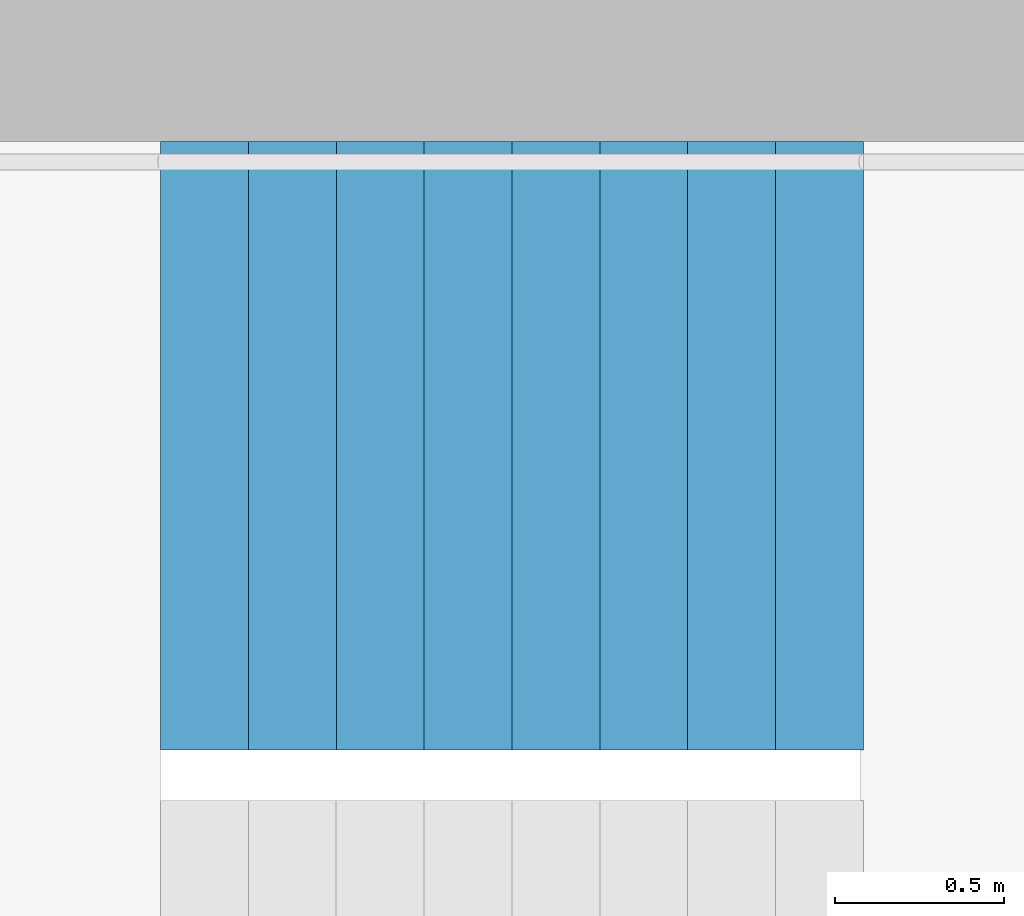
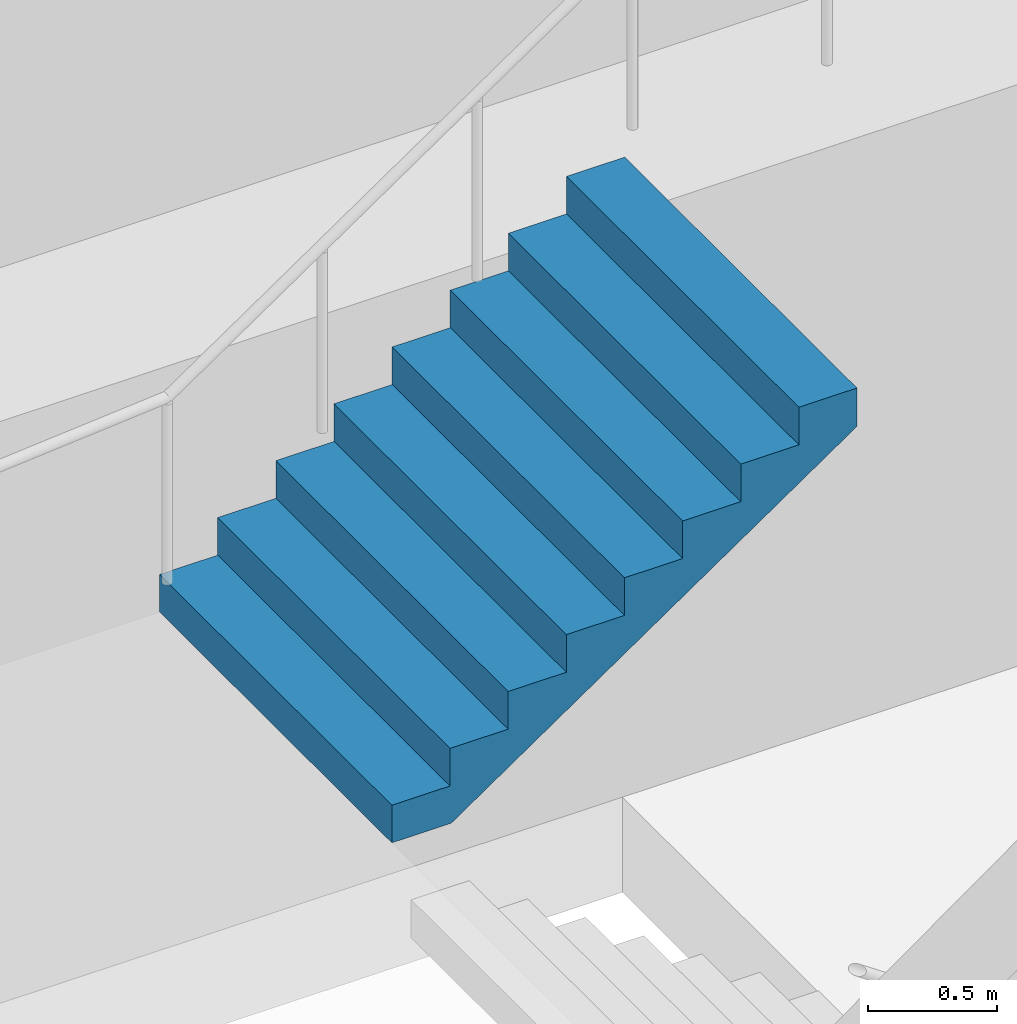
# One storey, part 24 of 30: 1 stair flight, 1 element without a shape of its own.
"""IFC4 building model written with IfcOpenShell, lengths in metres."""

from ifc_helpers import new_model, si_unit, direction, frame, origin, place, context, subcontext, project, spatial, triangles, material, type_object, element, aggregate, save


model = new_model("IFC4")

# Units and contexts
model_context = context("Model", 3, precision=1e-05, world=origin(), true_north=direction((0.0, 1.0)))
body_context = subcontext(model_context, "Body", "Model", "MODEL_VIEW")
ifc_project = project(units=[si_unit("LENGTHUNIT", "METRE"), si_unit("AREAUNIT", "SQUARE_METRE"), si_unit("VOLUMEUNIT", "CUBIC_METRE"), si_unit("PLANEANGLEUNIT", "RADIAN"), si_unit("MASSUNIT", "GRAM", prefix="KILO")], contexts=[model_context])

# Site, building, storey
site_placement = place(None, origin())
site = spatial("IfcSite", under=ifc_project, at=site_placement, CompositionType="ELEMENT")
building_placement = place(site_placement, origin())
building = spatial("IfcBuilding", under=site, at=building_placement, Name="Hakoniwa Tower and Hamabe Station Hall", CompositionType="ELEMENT")
storey_placement = place(building_placement, frame((0.0, 0.0, 137.39990234375)))
storey = spatial("IfcBuildingStorey", under=building, at=storey_placement, Name="L38", CompositionType="ELEMENT", Elevation=137.39990234375)

# Stair, stair flight
ifc_material_1 = material(Name="Concrete C40", Category="concrete")
stair_type = type_object("IfcStairType", Name="ESCAPE STAIR 1800", PredefinedType="HALF_TURN_STAIR", material=ifc_material_1)
stair_placement = place(storey_placement, origin())
stair = element("IfcStair", 1, at=stair_placement, inside=storey, type_object=stair_type, Name="Escape stair ST-3 L38", PredefinedType="HALF_TURN_STAIR")
ifc_material_2 = material(Name="Concrete C40", Category="concrete")
stair_flight_type = type_object("IfcStairFlightType", Name="STAIR FLIGHT 1800", PredefinedType="STRAIGHT", material=ifc_material_2)
stair_flight_placement = place(storey_placement, frame((22.320068359375, 6.60009765625, 1.60009765625), z_axis=(0.0, 0.0, 1.0), x_axis=(1.0, 0.0, 0.0)))
stair_flight = element("IfcStairFlight", 2, at=stair_flight_placement, type_object=stair_flight_type, Name="ST-3 flight 2", NumberOfRisers=9, NumberOfTreads=8, PredefinedType="STRAIGHT", RiserHeight=0.177777778, TreadLength=0.26, context=body_context, shape_type="Tessellation", body=[
    triangles([(0.0, 0.89990234375, 0.0), (0.260009765625, 0.89990234375, 0.0), (0.265625, 0.89990234375, 0.0), (0.52001953125, 0.89990234375, 0.174072265625), (0.780029296875, 0.89990234375, 0.351806640625), (1.0400390625, 0.89990234375, 0.529541015625), (1.300048828125, 0.89990234375, 0.707275390625), (1.56005859375, 0.89990234375, 0.885009765625), (1.820068359375, 0.89990234375, 1.062744140625), (2.080078125, 0.89990234375, 1.24072265625), (2.080078125, 0.89990234375, 1.422119140625), (1.820068359375, 0.89990234375, 1.422119140625), (1.820068359375, 0.89990234375, 1.244384765625), (1.56005859375, 0.89990234375, 1.244384765625), (1.56005859375, 0.89990234375, 1.066650390625), (1.300048828125, 0.89990234375, 1.066650390625), (1.300048828125, 0.89990234375, 0.888916015625), (1.0400390625, 0.89990234375, 0.888916015625), (1.0400390625, 0.89990234375, 0.711181640625), (0.780029296875, 0.89990234375, 0.711181640625), (0.780029296875, 0.89990234375, 0.533447265625), (0.52001953125, 0.89990234375, 0.533447265625), (0.52001953125, 0.89990234375, 0.35546875), (0.265625, 0.89990234375, 0.35546875), (0.260009765625, 0.89990234375, 0.35546875), (0.260009765625, 0.89990234375, 0.177734375), (0.0, 0.89990234375, 0.177734375), (0.0, 0.06005859375, 0.0), (0.260009765625, 0.06005859375, 0.0), (0.265625, 0.06005859375, 0.0), (0.52001953125, 0.06005859375, 0.174072265625), (0.780029296875, 0.06005859375, 0.351806640625), (1.0400390625, 0.06005859375, 0.529541015625), (1.300048828125, 0.06005859375, 0.707275390625), (1.56005859375, 0.06005859375, 0.885009765625), (1.820068359375, 0.06005859375, 1.062744140625), (2.080078125, 0.06005859375, 1.24072265625), (2.080078125, 0.06005859375, 1.422119140625), (1.820068359375, 0.06005859375, 1.422119140625), (1.820068359375, 0.06005859375, 1.244384765625), (1.56005859375, 0.06005859375, 1.244384765625), (1.56005859375, 0.06005859375, 1.066650390625), (1.300048828125, 0.06005859375, 1.066650390625), (1.300048828125, 0.06005859375, 0.888916015625), (1.0400390625, 0.06005859375, 0.888916015625), (1.0400390625, 0.06005859375, 0.711181640625), (0.780029296875, 0.06005859375, 0.711181640625), (0.780029296875, 0.06005859375, 0.533447265625), (0.52001953125, 0.06005859375, 0.533447265625), (0.52001953125, 0.06005859375, 0.35546875), (0.265625, 0.06005859375, 0.35546875), (0.260009765625, 0.06005859375, 0.35546875), (0.260009765625, 0.06005859375, 0.177734375), (0.0, 0.06005859375, 0.177734375), (0.0, 0.04296875, 0.0), (0.260009765625, 0.04296875, 0.0), (0.265625, 0.04296875, 0.0), (0.52001953125, 0.04296875, 0.174072265625), (0.780029296875, 0.04296875, 0.351806640625), (1.0400390625, 0.04296875, 0.529541015625), (1.300048828125, 0.04296875, 0.707275390625), (1.56005859375, 0.04296875, 0.885009765625), (1.820068359375, 0.04296875, 1.062744140625), (2.080078125, 0.04296875, 1.24072265625), (2.080078125, 0.04296875, 1.422119140625), (1.820068359375, 0.04296875, 1.422119140625), (1.820068359375, 0.04296875, 1.244384765625), (1.56005859375, 0.04296875, 1.244384765625), (1.56005859375, 0.04296875, 1.066650390625), (1.300048828125, 0.04296875, 1.066650390625), (1.300048828125, 0.04296875, 0.888916015625), (1.0400390625, 0.04296875, 0.888916015625), (1.0400390625, 0.04296875, 0.711181640625), (0.780029296875, 0.04296875, 0.711181640625), (0.780029296875, 0.04296875, 0.533447265625), (0.52001953125, 0.04296875, 0.533447265625), (0.52001953125, 0.04296875, 0.35546875), (0.265625, 0.04296875, 0.35546875), (0.260009765625, 0.04296875, 0.35546875), (0.260009765625, 0.04296875, 0.177734375), (0.0, 0.04296875, 0.177734375), (0.0, 0.025634765625, 0.0), (0.260009765625, 0.025634765625, 0.0), (0.265625, 0.025634765625, 0.0), (0.52001953125, 0.025634765625, 0.174072265625), (0.780029296875, 0.025634765625, 0.351806640625), (1.0400390625, 0.025634765625, 0.529541015625), (1.300048828125, 0.025634765625, 0.707275390625), (1.56005859375, 0.025634765625, 0.885009765625), (1.820068359375, 0.025634765625, 1.062744140625), (2.080078125, 0.025634765625, 1.24072265625), (2.080078125, 0.025634765625, 1.422119140625), (1.820068359375, 0.025634765625, 1.422119140625), (1.820068359375, 0.025634765625, 1.244384765625), (1.56005859375, 0.025634765625, 1.244384765625), (1.56005859375, 0.025634765625, 1.066650390625), (1.300048828125, 0.025634765625, 1.066650390625), (1.300048828125, 0.025634765625, 0.888916015625), (1.0400390625, 0.025634765625, 0.888916015625), (1.0400390625, 0.025634765625, 0.711181640625), (0.780029296875, 0.025634765625, 0.711181640625), (0.780029296875, 0.025634765625, 0.533447265625), (0.52001953125, 0.025634765625, 0.533447265625), (0.52001953125, 0.025634765625, 0.35546875), (0.265625, 0.025634765625, 0.35546875), (0.260009765625, 0.025634765625, 0.35546875), (0.260009765625, 0.025634765625, 0.177734375), (0.0, 0.025634765625, 0.177734375), (0.0, 0.008544921875, 0.0), (0.260009765625, 0.008544921875, 0.0), (0.265625, 0.008544921875, 0.0), (0.52001953125, 0.008544921875, 0.174072265625), (0.780029296875, 0.008544921875, 0.351806640625), (1.0400390625, 0.008544921875, 0.529541015625), (1.300048828125, 0.008544921875, 0.707275390625), (1.56005859375, 0.008544921875, 0.885009765625), (1.820068359375, 0.008544921875, 1.062744140625), (2.080078125, 0.008544921875, 1.24072265625), (2.080078125, 0.008544921875, 1.422119140625), (1.820068359375, 0.008544921875, 1.422119140625), (1.820068359375, 0.008544921875, 1.244384765625), (1.56005859375, 0.008544921875, 1.244384765625), (1.56005859375, 0.008544921875, 1.066650390625), (1.300048828125, 0.008544921875, 1.066650390625), (1.300048828125, 0.008544921875, 0.888916015625), (1.0400390625, 0.008544921875, 0.888916015625), (1.0400390625, 0.008544921875, 0.711181640625), (0.780029296875, 0.008544921875, 0.711181640625), (0.780029296875, 0.008544921875, 0.533447265625), (0.52001953125, 0.008544921875, 0.533447265625), (0.52001953125, 0.008544921875, 0.35546875), (0.265625, 0.008544921875, 0.35546875), (0.260009765625, 0.008544921875, 0.35546875), (0.260009765625, 0.008544921875, 0.177734375), (0.0, 0.008544921875, 0.177734375), (0.0, -0.008544921875, 0.0), (0.260009765625, -0.008544921875, 0.0), (0.265625, -0.008544921875, 0.0), (0.52001953125, -0.008544921875, 0.174072265625), (0.780029296875, -0.008544921875, 0.351806640625), (1.0400390625, -0.008544921875, 0.529541015625), (1.300048828125, -0.008544921875, 0.707275390625), (1.56005859375, -0.008544921875, 0.885009765625), (1.820068359375, -0.008544921875, 1.062744140625), (2.080078125, -0.008544921875, 1.24072265625), (2.080078125, -0.008544921875, 1.422119140625), (1.820068359375, -0.008544921875, 1.422119140625), (1.820068359375, -0.008544921875, 1.244384765625), (1.56005859375, -0.008544921875, 1.244384765625), (1.56005859375, -0.008544921875, 1.066650390625), (1.300048828125, -0.008544921875, 1.066650390625), (1.300048828125, -0.008544921875, 0.888916015625), (1.0400390625, -0.008544921875, 0.888916015625), (1.0400390625, -0.008544921875, 0.711181640625), (0.780029296875, -0.008544921875, 0.711181640625), (0.780029296875, -0.008544921875, 0.533447265625), (0.52001953125, -0.008544921875, 0.533447265625), (0.52001953125, -0.008544921875, 0.35546875), (0.265625, -0.008544921875, 0.35546875), (0.260009765625, -0.008544921875, 0.35546875), (0.260009765625, -0.008544921875, 0.177734375), (0.0, -0.008544921875, 0.177734375), (0.0, -0.025634765625, 0.0), (0.260009765625, -0.025634765625, 0.0), (0.265625, -0.025634765625, 0.0), (0.52001953125, -0.025634765625, 0.174072265625), (0.780029296875, -0.025634765625, 0.351806640625), (1.0400390625, -0.025634765625, 0.529541015625), (1.300048828125, -0.025634765625, 0.707275390625), (1.56005859375, -0.025634765625, 0.885009765625), (1.820068359375, -0.025634765625, 1.062744140625), (2.080078125, -0.025634765625, 1.24072265625), (2.080078125, -0.025634765625, 1.422119140625), (1.820068359375, -0.025634765625, 1.422119140625), (1.820068359375, -0.025634765625, 1.244384765625), (1.56005859375, -0.025634765625, 1.244384765625), (1.56005859375, -0.025634765625, 1.066650390625), (1.300048828125, -0.025634765625, 1.066650390625), (1.300048828125, -0.025634765625, 0.888916015625), (1.0400390625, -0.025634765625, 0.888916015625), (1.0400390625, -0.025634765625, 0.711181640625), (0.780029296875, -0.025634765625, 0.711181640625), (0.780029296875, -0.025634765625, 0.533447265625), (0.52001953125, -0.025634765625, 0.533447265625), (0.52001953125, -0.025634765625, 0.35546875), (0.265625, -0.025634765625, 0.35546875), (0.260009765625, -0.025634765625, 0.35546875), (0.260009765625, -0.025634765625, 0.177734375), (0.0, -0.025634765625, 0.177734375), (0.0, -0.04296875, 0.0), (0.260009765625, -0.04296875, 0.0), (0.265625, -0.04296875, 0.0), (0.52001953125, -0.04296875, 0.174072265625), (0.780029296875, -0.04296875, 0.351806640625), (1.0400390625, -0.04296875, 0.529541015625), (1.300048828125, -0.04296875, 0.707275390625), (1.56005859375, -0.04296875, 0.885009765625), (1.820068359375, -0.04296875, 1.062744140625), (2.080078125, -0.04296875, 1.24072265625), (2.080078125, -0.04296875, 1.422119140625), (1.820068359375, -0.04296875, 1.422119140625), (1.820068359375, -0.04296875, 1.244384765625), (1.56005859375, -0.04296875, 1.244384765625), (1.56005859375, -0.04296875, 1.066650390625), (1.300048828125, -0.04296875, 1.066650390625), (1.300048828125, -0.04296875, 0.888916015625), (1.0400390625, -0.04296875, 0.888916015625), (1.0400390625, -0.04296875, 0.711181640625), (0.780029296875, -0.04296875, 0.711181640625), (0.780029296875, -0.04296875, 0.533447265625), (0.52001953125, -0.04296875, 0.533447265625), (0.52001953125, -0.04296875, 0.35546875), (0.265625, -0.04296875, 0.35546875), (0.260009765625, -0.04296875, 0.35546875), (0.260009765625, -0.04296875, 0.177734375), (0.0, -0.04296875, 0.177734375), (0.0, -0.06005859375, 0.0), (0.260009765625, -0.06005859375, 0.0), (0.265625, -0.06005859375, 0.0), (0.52001953125, -0.06005859375, 0.174072265625), (0.780029296875, -0.06005859375, 0.351806640625), (1.0400390625, -0.06005859375, 0.529541015625), (1.300048828125, -0.06005859375, 0.707275390625), (1.56005859375, -0.06005859375, 0.885009765625), (1.820068359375, -0.06005859375, 1.062744140625), (2.080078125, -0.06005859375, 1.24072265625), (2.080078125, -0.06005859375, 1.422119140625), (1.820068359375, -0.06005859375, 1.422119140625), (1.820068359375, -0.06005859375, 1.244384765625), (1.56005859375, -0.06005859375, 1.244384765625), (1.56005859375, -0.06005859375, 1.066650390625), (1.300048828125, -0.06005859375, 1.066650390625), (1.300048828125, -0.06005859375, 0.888916015625), (1.0400390625, -0.06005859375, 0.888916015625), (1.0400390625, -0.06005859375, 0.711181640625), (0.780029296875, -0.06005859375, 0.711181640625), (0.780029296875, -0.06005859375, 0.533447265625), (0.52001953125, -0.06005859375, 0.533447265625), (0.52001953125, -0.06005859375, 0.35546875), (0.265625, -0.06005859375, 0.35546875), (0.260009765625, -0.06005859375, 0.35546875), (0.260009765625, -0.06005859375, 0.177734375), (0.0, -0.06005859375, 0.177734375), (0.0, -0.89990234375, 0.0), (0.260009765625, -0.89990234375, 0.0), (0.265625, -0.89990234375, 0.0), (0.52001953125, -0.89990234375, 0.174072265625), (0.780029296875, -0.89990234375, 0.351806640625), (1.0400390625, -0.89990234375, 0.529541015625), (1.300048828125, -0.89990234375, 0.707275390625), (1.56005859375, -0.89990234375, 0.885009765625), (1.820068359375, -0.89990234375, 1.062744140625), (2.080078125, -0.89990234375, 1.24072265625), (2.080078125, -0.89990234375, 1.422119140625), (1.820068359375, -0.89990234375, 1.422119140625), (1.820068359375, -0.89990234375, 1.244384765625), (1.56005859375, -0.89990234375, 1.244384765625), (1.56005859375, -0.89990234375, 1.066650390625), (1.300048828125, -0.89990234375, 1.066650390625), (1.300048828125, -0.89990234375, 0.888916015625), (1.0400390625, -0.89990234375, 0.888916015625), (1.0400390625, -0.89990234375, 0.711181640625), (0.780029296875, -0.89990234375, 0.711181640625), (0.780029296875, -0.89990234375, 0.533447265625), (0.52001953125, -0.89990234375, 0.533447265625), (0.52001953125, -0.89990234375, 0.35546875), (0.265625, -0.89990234375, 0.35546875), (0.260009765625, -0.89990234375, 0.35546875), (0.260009765625, -0.89990234375, 0.177734375), (0.0, -0.89990234375, 0.177734375)], [[2, 27, 26], [245, 269, 270], [2, 1, 27], [245, 270, 244], [3, 25, 24], [246, 267, 268], [3, 26, 25], [246, 268, 269], [3, 2, 26], [246, 269, 245], [4, 24, 23], [247, 266, 267], [4, 3, 24], [247, 267, 246], [5, 22, 21], [248, 264, 265], [5, 23, 22], [248, 265, 266], [5, 4, 23], [248, 266, 247], [6, 20, 19], [249, 262, 263], [6, 21, 20], [249, 263, 264], [6, 5, 21], [249, 264, 248], [7, 18, 17], [250, 260, 261], [7, 19, 18], [250, 261, 262], [7, 6, 19], [250, 262, 249], [8, 16, 15], [251, 258, 259], [8, 17, 16], [251, 259, 260], [8, 7, 17], [251, 260, 250], [9, 14, 13], [252, 256, 257], [9, 15, 14], [252, 257, 258], [9, 8, 15], [252, 258, 251], [10, 12, 11], [253, 254, 255], [10, 13, 12], [253, 255, 256], [10, 9, 13], [253, 256, 252], [1, 2, 29], [1, 29, 28], [28, 29, 56], [28, 56, 55], [55, 56, 83], [55, 83, 82], [82, 83, 110], [82, 110, 109], [109, 110, 137], [109, 137, 136], [136, 137, 164], [136, 164, 163], [163, 164, 191], [163, 191, 190], [190, 191, 218], [190, 218, 217], [217, 218, 245], [217, 245, 244], [2, 3, 30], [2, 30, 29], [29, 30, 57], [29, 57, 56], [56, 57, 84], [56, 84, 83], [83, 84, 111], [83, 111, 110], [110, 111, 138], [110, 138, 137], [137, 138, 165], [137, 165, 164], [164, 165, 192], [164, 192, 191], [191, 192, 219], [191, 219, 218], [218, 219, 246], [218, 246, 245], [3, 4, 31], [3, 31, 30], [30, 31, 58], [30, 58, 57], [57, 58, 85], [57, 85, 84], [84, 85, 112], [84, 112, 111], [111, 112, 139], [111, 139, 138], [138, 139, 166], [138, 166, 165], [165, 166, 193], [165, 193, 192], [192, 193, 220], [192, 220, 219], [219, 220, 247], [219, 247, 246], [4, 5, 32], [4, 32, 31], [31, 32, 59], [31, 59, 58], [58, 59, 86], [58, 86, 85], [85, 86, 113], [85, 113, 112], [112, 113, 140], [112, 140, 139], [139, 140, 167], [139, 167, 166], [166, 167, 194], [166, 194, 193], [193, 194, 221], [193, 221, 220], [220, 221, 248], [220, 248, 247], [5, 6, 33], [5, 33, 32], [32, 33, 60], [32, 60, 59], [59, 60, 87], [59, 87, 86], [86, 87, 114], [86, 114, 113], [113, 114, 141], [113, 141, 140], [140, 141, 168], [140, 168, 167], [167, 168, 195], [167, 195, 194], [194, 195, 222], [194, 222, 221], [221, 222, 249], [221, 249, 248], [6, 7, 34], [6, 34, 33], [33, 34, 61], [33, 61, 60], [60, 61, 88], [60, 88, 87], [87, 88, 115], [87, 115, 114], [114, 115, 142], [114, 142, 141], [141, 142, 169], [141, 169, 168], [168, 169, 196], [168, 196, 195], [195, 196, 223], [195, 223, 222], [222, 223, 250], [222, 250, 249], [7, 8, 35], [7, 35, 34], [34, 35, 62], [34, 62, 61], [61, 62, 89], [61, 89, 88], [88, 89, 116], [88, 116, 115], [115, 116, 143], [115, 143, 142], [142, 143, 170], [142, 170, 169], [169, 170, 197], [169, 197, 196], [196, 197, 224], [196, 224, 223], [223, 224, 251], [223, 251, 250], [8, 9, 36], [8, 36, 35], [35, 36, 63], [35, 63, 62], [62, 63, 90], [62, 90, 89], [89, 90, 117], [89, 117, 116], [116, 117, 144], [116, 144, 143], [143, 144, 171], [143, 171, 170], [170, 171, 198], [170, 198, 197], [197, 198, 225], [197, 225, 224], [224, 225, 252], [224, 252, 251], [9, 10, 37], [9, 37, 36], [36, 37, 64], [36, 64, 63], [63, 64, 91], [63, 91, 90], [90, 91, 118], [90, 118, 117], [117, 118, 145], [117, 145, 144], [144, 145, 172], [144, 172, 171], [171, 172, 199], [171, 199, 198], [198, 199, 226], [198, 226, 225], [225, 226, 253], [225, 253, 252], [10, 11, 38], [10, 38, 37], [37, 38, 65], [37, 65, 64], [64, 65, 92], [64, 92, 91], [91, 92, 119], [91, 119, 118], [118, 119, 146], [118, 146, 145], [145, 146, 173], [145, 173, 172], [172, 173, 200], [172, 200, 199], [199, 200, 227], [199, 227, 226], [226, 227, 254], [226, 254, 253], [11, 12, 39], [11, 39, 38], [38, 39, 66], [38, 66, 65], [65, 66, 93], [65, 93, 92], [92, 93, 120], [92, 120, 119], [119, 120, 147], [119, 147, 146], [146, 147, 174], [146, 174, 173], [173, 174, 201], [173, 201, 200], [200, 201, 228], [200, 228, 227], [227, 228, 255], [227, 255, 254], [12, 13, 40], [12, 40, 39], [39, 40, 67], [39, 67, 66], [66, 67, 94], [66, 94, 93], [93, 94, 121], [93, 121, 120], [120, 121, 148], [120, 148, 147], [147, 148, 175], [147, 175, 174], [174, 175, 202], [174, 202, 201], [201, 202, 229], [201, 229, 228], [228, 229, 256], [228, 256, 255], [13, 14, 41], [13, 41, 40], [40, 41, 68], [40, 68, 67], [67, 68, 95], [67, 95, 94], [94, 95, 122], [94, 122, 121], [121, 122, 149], [121, 149, 148], [148, 149, 176], [148, 176, 175], [175, 176, 203], [175, 203, 202], [202, 203, 230], [202, 230, 229], [229, 230, 257], [229, 257, 256], [14, 15, 42], [14, 42, 41], [41, 42, 69], [41, 69, 68], [68, 69, 96], [68, 96, 95], [95, 96, 123], [95, 123, 122], [122, 123, 150], [122, 150, 149], [149, 150, 177], [149, 177, 176], [176, 177, 204], [176, 204, 203], [203, 204, 231], [203, 231, 230], [230, 231, 258], [230, 258, 257], [15, 16, 43], [15, 43, 42], [42, 43, 70], [42, 70, 69], [69, 70, 97], [69, 97, 96], [96, 97, 124], [96, 124, 123], [123, 124, 151], [123, 151, 150], [150, 151, 178], [150, 178, 177], [177, 178, 205], [177, 205, 204], [204, 205, 232], [204, 232, 231], [231, 232, 259], [231, 259, 258], [16, 17, 44], [16, 44, 43], [43, 44, 71], [43, 71, 70], [70, 71, 98], [70, 98, 97], [97, 98, 125], [97, 125, 124], [124, 125, 152], [124, 152, 151], [151, 152, 179], [151, 179, 178], [178, 179, 206], [178, 206, 205], [205, 206, 233], [205, 233, 232], [232, 233, 260], [232, 260, 259], [17, 18, 45], [17, 45, 44], [44, 45, 72], [44, 72, 71], [71, 72, 99], [71, 99, 98], [98, 99, 126], [98, 126, 125], [125, 126, 153], [125, 153, 152], [152, 153, 180], [152, 180, 179], [179, 180, 207], [179, 207, 206], [206, 207, 234], [206, 234, 233], [233, 234, 261], [233, 261, 260], [18, 19, 46], [18, 46, 45], [45, 46, 73], [45, 73, 72], [72, 73, 100], [72, 100, 99], [99, 100, 127], [99, 127, 126], [126, 127, 154], [126, 154, 153], [153, 154, 181], [153, 181, 180], [180, 181, 208], [180, 208, 207], [207, 208, 235], [207, 235, 234], [234, 235, 262], [234, 262, 261], [19, 20, 47], [19, 47, 46], [46, 47, 74], [46, 74, 73], [73, 74, 101], [73, 101, 100], [100, 101, 128], [100, 128, 127], [127, 128, 155], [127, 155, 154], [154, 155, 182], [154, 182, 181], [181, 182, 209], [181, 209, 208], [208, 209, 236], [208, 236, 235], [235, 236, 263], [235, 263, 262], [20, 21, 48], [20, 48, 47], [47, 48, 75], [47, 75, 74], [74, 75, 102], [74, 102, 101], [101, 102, 129], [101, 129, 128], [128, 129, 156], [128, 156, 155], [155, 156, 183], [155, 183, 182], [182, 183, 210], [182, 210, 209], [209, 210, 237], [209, 237, 236], [236, 237, 264], [236, 264, 263], [21, 22, 49], [21, 49, 48], [48, 49, 76], [48, 76, 75], [75, 76, 103], [75, 103, 102], [102, 103, 130], [102, 130, 129], [129, 130, 157], [129, 157, 156], [156, 157, 184], [156, 184, 183], [183, 184, 211], [183, 211, 210], [210, 211, 238], [210, 238, 237], [237, 238, 265], [237, 265, 264], [22, 23, 50], [22, 50, 49], [49, 50, 77], [49, 77, 76], [76, 77, 104], [76, 104, 103], [103, 104, 131], [103, 131, 130], [130, 131, 158], [130, 158, 157], [157, 158, 185], [157, 185, 184], [184, 185, 212], [184, 212, 211], [211, 212, 239], [211, 239, 238], [238, 239, 266], [238, 266, 265], [23, 24, 51], [23, 51, 50], [50, 51, 78], [50, 78, 77], [77, 78, 105], [77, 105, 104], [104, 105, 132], [104, 132, 131], [131, 132, 159], [131, 159, 158], [158, 159, 186], [158, 186, 185], [185, 186, 213], [185, 213, 212], [212, 213, 240], [212, 240, 239], [239, 240, 267], [239, 267, 266], [24, 25, 52], [24, 52, 51], [51, 52, 79], [51, 79, 78], [78, 79, 106], [78, 106, 105], [105, 106, 133], [105, 133, 132], [132, 133, 160], [132, 160, 159], [159, 160, 187], [159, 187, 186], [186, 187, 214], [186, 214, 213], [213, 214, 241], [213, 241, 240], [240, 241, 268], [240, 268, 267], [25, 26, 53], [25, 53, 52], [52, 53, 80], [52, 80, 79], [79, 80, 107], [79, 107, 106], [106, 107, 134], [106, 134, 133], [133, 134, 161], [133, 161, 160], [160, 161, 188], [160, 188, 187], [187, 188, 215], [187, 215, 214], [214, 215, 242], [214, 242, 241], [241, 242, 269], [241, 269, 268], [26, 27, 54], [26, 54, 53], [53, 54, 81], [53, 81, 80], [80, 81, 108], [80, 108, 107], [107, 108, 135], [107, 135, 134], [134, 135, 162], [134, 162, 161], [161, 162, 189], [161, 189, 188], [188, 189, 216], [188, 216, 215], [215, 216, 243], [215, 243, 242], [242, 243, 270], [242, 270, 269], [27, 1, 28], [27, 28, 54], [54, 28, 55], [54, 55, 81], [81, 55, 82], [81, 82, 108], [108, 82, 109], [108, 109, 135], [135, 109, 136], [135, 136, 162], [162, 136, 163], [162, 163, 189], [189, 163, 190], [189, 190, 216], [216, 190, 217], [216, 217, 243], [243, 217, 244], [243, 244, 270]], closed=True),
])
aggregate(stair, [stair_flight])

save(model, "model.ifc")
